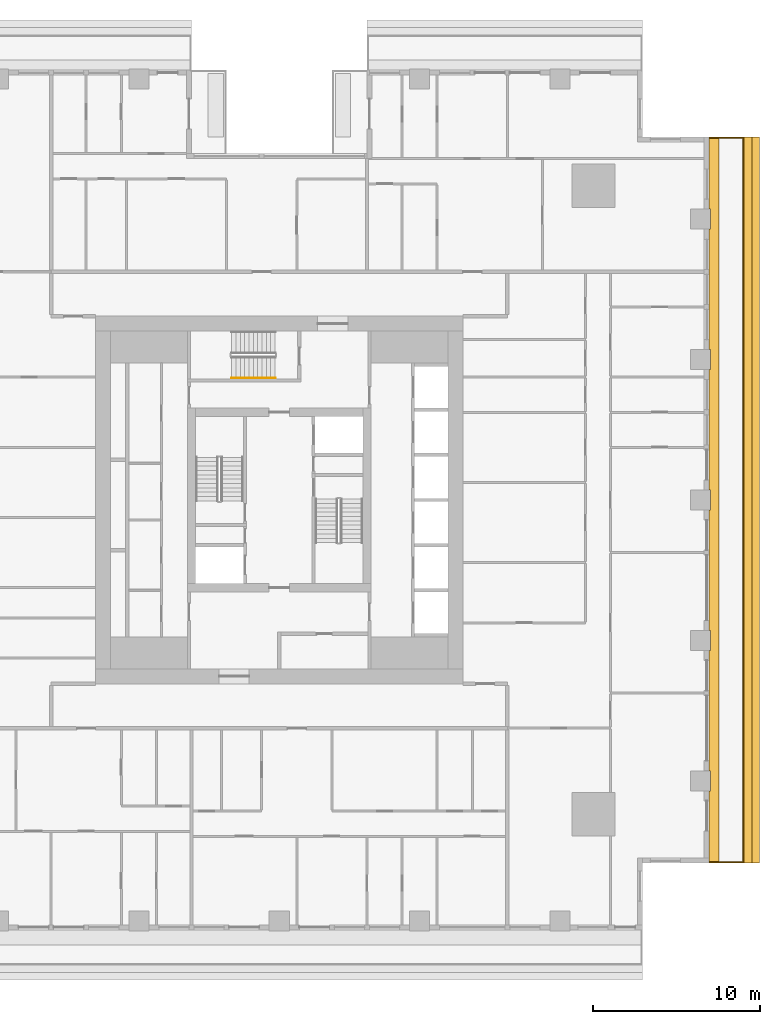
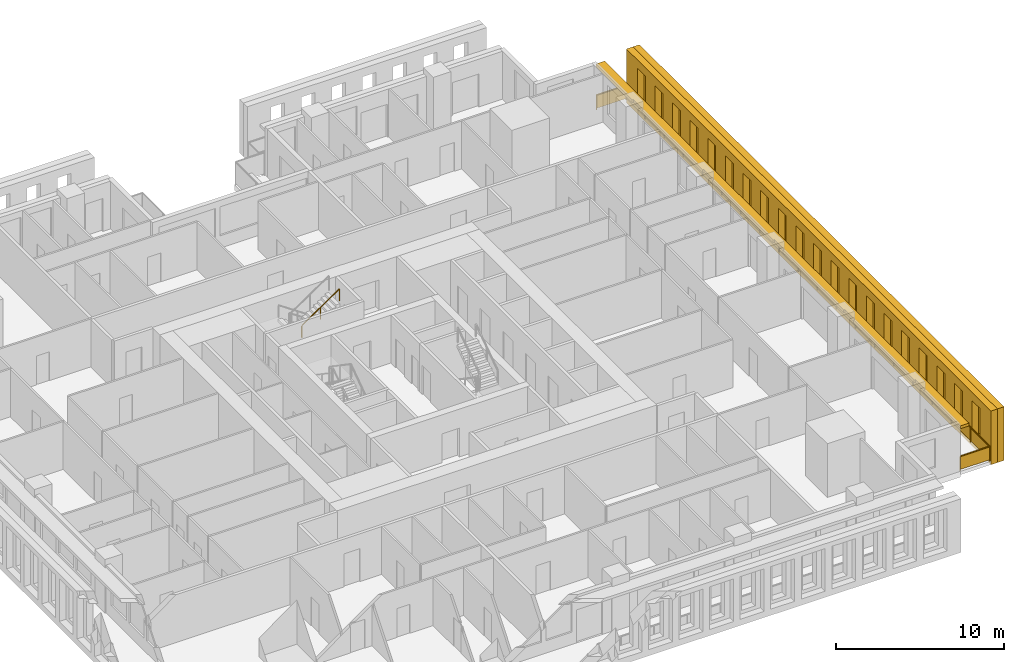
# One storey, part 14 of 16: 3 shading devices, 2 railings.
"""IFC4 building model written with IfcOpenShell, lengths in metres."""

from ifc_helpers import new_model, si_unit, direction, frame, origin, origin_2d, place, context, subcontext, project, spatial, polyline, rectangle, outline, extrude, material, layer, layer_set, type_object, element, save


model = new_model("IFC4")

# Units and contexts
model_context = context("Model", 3, precision=1e-05, world=origin(), true_north=direction((0.0, 1.0)))
body_context = subcontext(model_context, "Body", "Model", "MODEL_VIEW")
ifc_project = project(units=[si_unit("LENGTHUNIT", "METRE"), si_unit("AREAUNIT", "SQUARE_METRE"), si_unit("VOLUMEUNIT", "CUBIC_METRE"), si_unit("PLANEANGLEUNIT", "RADIAN"), si_unit("MASSUNIT", "GRAM", prefix="KILO")], contexts=[model_context])

# Site, building, storey
site_placement = place(None, origin())
site = spatial("IfcSite", under=ifc_project, at=site_placement, CompositionType="ELEMENT")
building_placement = place(site_placement, origin())
building = spatial("IfcBuilding", under=site, at=building_placement, Name="Khepri Terraces", CompositionType="ELEMENT")
storey_placement = place(building_placement, frame((0.0, 0.0, 141.60009765625)))
storey = spatial("IfcBuildingStorey", under=building, at=storey_placement, Name="L33", CompositionType="ELEMENT", Elevation=141.60009765625)

# Railings
ifc_material_1 = material(Name="Stainless steel grade 316", Category="steel")
railing_type_1 = type_object("IfcRailingType", Name="GRD-BAL-1100", PredefinedType="GUARDRAIL", material=ifc_material_1)
railing_1_placement = place(storey_placement, frame((25.719970703125, -21.669921875, 0.0)))
element("IfcRailing", 1, at=railing_1_placement, inside=storey, type_object=railing_type_1, Name="Balcony guard L33 E", PredefinedType="GUARDRAIL", context=body_context, shape_type="SweptSolid", body=[
    extrude(rectangle(XDim=0.050048828125, YDim=0.06005859375, at=origin_2d()), frame((0.0, 0.0, 1.070068359375), z_axis=(1.0, 0.0, 0.0), x_axis=(0.0, 1.0, 0.0)), (0.0, 0.0, 1.0), 2.050048828125),
    extrude(rectangle(XDim=2.0, YDim=0.011962890625, at=origin_2d()), frame((1.02490234375, 0.0, 0.10009765625), z_axis=(0.0, 0.0, 1.0), x_axis=(1.0, 0.0, 0.0)), (0.0, 0.0, 1.0), 0.93994140625),
    extrude(rectangle(XDim=0.050048828125, YDim=0.06005859375, at=origin_2d()), frame((2.050048828125, 0.0, 1.070068359375), z_axis=(0.0, 1.0, 0.0), x_axis=(-1.0, 0.0, 0.0)), (0.0, 0.0, 1.0), 43.33984375),
    extrude(rectangle(XDim=2.23095703125, YDim=0.011962890625, at=origin_2d()), frame((2.050048828125, 1.140625, 0.10009765625), z_axis=(0.0, 0.0, 1.0), x_axis=(0.0, 1.0, 0.0)), (0.0, 0.0, 1.0), 0.93994140625),
    extrude(rectangle(XDim=2.23095703125, YDim=0.011962890625, at=origin_2d()), frame((2.050048828125, 3.421630859375, 0.10009765625), z_axis=(0.0, 0.0, 1.0), x_axis=(0.0, 1.0, 0.0)), (0.0, 0.0, 1.0), 0.93994140625),
    extrude(rectangle(XDim=2.23095703125, YDim=0.011962890625, at=origin_2d()), frame((2.050048828125, 5.70263671875, 0.10009765625), z_axis=(0.0, 0.0, 1.0), x_axis=(0.0, 1.0, 0.0)), (0.0, 0.0, 1.0), 0.93994140625),
    extrude(rectangle(XDim=2.23095703125, YDim=0.011962890625, at=origin_2d()), frame((2.050048828125, 7.983642578125, 0.10009765625), z_axis=(0.0, 0.0, 1.0), x_axis=(0.0, 1.0, 0.0)), (0.0, 0.0, 1.0), 0.93994140625),
    extrude(rectangle(XDim=2.23095703125, YDim=0.011962890625, at=origin_2d()), frame((2.050048828125, 10.2646484375, 0.10009765625), z_axis=(0.0, 0.0, 1.0), x_axis=(0.0, 1.0, 0.0)), (0.0, 0.0, 1.0), 0.93994140625),
    extrude(rectangle(XDim=2.23095703125, YDim=0.011962890625, at=origin_2d()), frame((2.050048828125, 12.545654296875, 0.10009765625), z_axis=(0.0, 0.0, 1.0), x_axis=(0.0, 1.0, 0.0)), (0.0, 0.0, 1.0), 0.93994140625),
    extrude(rectangle(XDim=2.23095703125, YDim=0.011962890625, at=origin_2d()), frame((2.050048828125, 14.826904296875, 0.10009765625), z_axis=(0.0, 0.0, 1.0), x_axis=(0.0, 1.0, 0.0)), (0.0, 0.0, 1.0), 0.93994140625),
    extrude(rectangle(XDim=2.23095703125, YDim=0.011962890625, at=origin_2d()), frame((2.050048828125, 17.10791015625, 0.10009765625), z_axis=(0.0, 0.0, 1.0), x_axis=(0.0, 1.0, 0.0)), (0.0, 0.0, 1.0), 0.93994140625),
    extrude(rectangle(XDim=2.23095703125, YDim=0.011962890625, at=origin_2d()), frame((2.050048828125, 19.388916015625, 0.10009765625), z_axis=(0.0, 0.0, 1.0), x_axis=(0.0, 1.0, 0.0)), (0.0, 0.0, 1.0), 0.93994140625),
    extrude(rectangle(XDim=2.23095703125, YDim=0.011962890625, at=origin_2d()), frame((2.050048828125, 21.669921875, 0.10009765625), z_axis=(0.0, 0.0, 1.0), x_axis=(0.0, 1.0, 0.0)), (0.0, 0.0, 1.0), 0.93994140625),
    extrude(rectangle(XDim=2.23095703125, YDim=0.011962890625, at=origin_2d()), frame((2.050048828125, 23.950927734375, 0.10009765625), z_axis=(0.0, 0.0, 1.0), x_axis=(0.0, 1.0, 0.0)), (0.0, 0.0, 1.0), 0.93994140625),
    extrude(rectangle(XDim=2.23095703125, YDim=0.011962890625, at=origin_2d()), frame((2.050048828125, 26.23193359375, 0.10009765625), z_axis=(0.0, 0.0, 1.0), x_axis=(0.0, 1.0, 0.0)), (0.0, 0.0, 1.0), 0.93994140625),
    extrude(rectangle(XDim=2.23095703125, YDim=0.011962890625, at=origin_2d()), frame((2.050048828125, 28.512939453125, 0.10009765625), z_axis=(0.0, 0.0, 1.0), x_axis=(0.0, 1.0, 0.0)), (0.0, 0.0, 1.0), 0.93994140625),
    extrude(rectangle(XDim=2.23095703125, YDim=0.011962890625, at=origin_2d()), frame((2.050048828125, 30.794189453125, 0.10009765625), z_axis=(0.0, 0.0, 1.0), x_axis=(0.0, 1.0, 0.0)), (0.0, 0.0, 1.0), 0.93994140625),
    extrude(rectangle(XDim=2.23095703125, YDim=0.011962890625, at=origin_2d()), frame((2.050048828125, 33.0751953125, 0.10009765625), z_axis=(0.0, 0.0, 1.0), x_axis=(0.0, 1.0, 0.0)), (0.0, 0.0, 1.0), 0.93994140625),
    extrude(rectangle(XDim=2.23095703125, YDim=0.011962890625, at=origin_2d()), frame((2.050048828125, 35.356201171875, 0.10009765625), z_axis=(0.0, 0.0, 1.0), x_axis=(0.0, 1.0, 0.0)), (0.0, 0.0, 1.0), 0.93994140625),
    extrude(rectangle(XDim=2.23095703125, YDim=0.011962890625, at=origin_2d()), frame((2.050048828125, 37.63720703125, 0.10009765625), z_axis=(0.0, 0.0, 1.0), x_axis=(0.0, 1.0, 0.0)), (0.0, 0.0, 1.0), 0.93994140625),
    extrude(rectangle(XDim=2.23095703125, YDim=0.011962890625, at=origin_2d()), frame((2.050048828125, 39.918212890625, 0.10009765625), z_axis=(0.0, 0.0, 1.0), x_axis=(0.0, 1.0, 0.0)), (0.0, 0.0, 1.0), 0.93994140625),
    extrude(rectangle(XDim=2.23095703125, YDim=0.011962890625, at=origin_2d()), frame((2.050048828125, 42.19921875, 0.10009765625), z_axis=(0.0, 0.0, 1.0), x_axis=(0.0, 1.0, 0.0)), (0.0, 0.0, 1.0), 0.93994140625),
    extrude(rectangle(XDim=0.050048828125, YDim=0.06005859375, at=origin_2d()), frame((2.050048828125, 43.33984375, 1.070068359375), z_axis=(-1.0, 0.0, 0.0), x_axis=(0.0, -1.0, 0.0)), (0.0, 0.0, 1.0), 2.050048828125),
    extrude(rectangle(XDim=2.0, YDim=0.011962890625, at=origin_2d()), frame((1.02490234375, 43.33984375, 0.10009765625), z_axis=(0.0, 0.0, 1.0), x_axis=(-1.0, 0.0, 0.0)), (0.0, 0.0, 1.0), 0.93994140625),
    extrude(rectangle(XDim=0.050048828125, YDim=0.050048828125, at=origin_2d()), origin(), (0.0, 0.0, 1.0), 1.0400390625),
    extrude(rectangle(XDim=0.050048828125, YDim=0.050048828125, at=origin_2d()), frame((2.050048828125, 0.0, 0.0)), (0.0, 0.0, 1.0), 1.0400390625),
    extrude(rectangle(XDim=0.050048828125, YDim=0.050048828125, at=origin_2d()), frame((2.050048828125, 2.281005859375, 0.0)), (0.0, 0.0, 1.0), 1.0400390625),
    extrude(rectangle(XDim=0.050048828125, YDim=0.050048828125, at=origin_2d()), frame((2.050048828125, 4.56201171875, 0.0)), (0.0, 0.0, 1.0), 1.0400390625),
    extrude(rectangle(XDim=0.050048828125, YDim=0.050048828125, at=origin_2d()), frame((2.050048828125, 6.843017578125, 0.0)), (0.0, 0.0, 1.0), 1.0400390625),
    extrude(rectangle(XDim=0.050048828125, YDim=0.050048828125, at=origin_2d()), frame((2.050048828125, 9.124267578125, 0.0)), (0.0, 0.0, 1.0), 1.0400390625),
    extrude(rectangle(XDim=0.050048828125, YDim=0.050048828125, at=origin_2d()), frame((2.050048828125, 11.4052734375, 0.0)), (0.0, 0.0, 1.0), 1.0400390625),
    extrude(rectangle(XDim=0.050048828125, YDim=0.050048828125, at=origin_2d()), frame((2.050048828125, 13.686279296875, 0.0)), (0.0, 0.0, 1.0), 1.0400390625),
    extrude(rectangle(XDim=0.050048828125, YDim=0.050048828125, at=origin_2d()), frame((2.050048828125, 15.96728515625, 0.0)), (0.0, 0.0, 1.0), 1.0400390625),
    extrude(rectangle(XDim=0.050048828125, YDim=0.050048828125, at=origin_2d()), frame((2.050048828125, 18.248291015625, 0.0)), (0.0, 0.0, 1.0), 1.0400390625),
    extrude(rectangle(XDim=0.050048828125, YDim=0.050048828125, at=origin_2d()), frame((2.050048828125, 20.529296875, 0.0)), (0.0, 0.0, 1.0), 1.0400390625),
    extrude(rectangle(XDim=0.050048828125, YDim=0.050048828125, at=origin_2d()), frame((2.050048828125, 22.810546875, 0.0)), (0.0, 0.0, 1.0), 1.0400390625),
    extrude(rectangle(XDim=0.050048828125, YDim=0.050048828125, at=origin_2d()), frame((2.050048828125, 25.091552734375, 0.0)), (0.0, 0.0, 1.0), 1.0400390625),
    extrude(rectangle(XDim=0.050048828125, YDim=0.050048828125, at=origin_2d()), frame((2.050048828125, 27.37255859375, 0.0)), (0.0, 0.0, 1.0), 1.0400390625),
    extrude(rectangle(XDim=0.050048828125, YDim=0.050048828125, at=origin_2d()), frame((2.050048828125, 29.653564453125, 0.0)), (0.0, 0.0, 1.0), 1.0400390625),
    extrude(rectangle(XDim=0.050048828125, YDim=0.050048828125, at=origin_2d()), frame((2.050048828125, 31.9345703125, 0.0)), (0.0, 0.0, 1.0), 1.0400390625),
    extrude(rectangle(XDim=0.050048828125, YDim=0.050048828125, at=origin_2d()), frame((2.050048828125, 34.215576171875, 0.0)), (0.0, 0.0, 1.0), 1.0400390625),
    extrude(rectangle(XDim=0.050048828125, YDim=0.050048828125, at=origin_2d()), frame((2.050048828125, 36.496826171875, 0.0)), (0.0, 0.0, 1.0), 1.0400390625),
    extrude(rectangle(XDim=0.050048828125, YDim=0.050048828125, at=origin_2d()), frame((2.050048828125, 38.77783203125, 0.0)), (0.0, 0.0, 1.0), 1.0400390625),
    extrude(rectangle(XDim=0.050048828125, YDim=0.050048828125, at=origin_2d()), frame((2.050048828125, 41.058837890625, 0.0)), (0.0, 0.0, 1.0), 1.0400390625),
    extrude(rectangle(XDim=0.050048828125, YDim=0.050048828125, at=origin_2d()), frame((2.050048828125, 43.33984375, 0.0)), (0.0, 0.0, 1.0), 1.0400390625),
    extrude(rectangle(XDim=0.050048828125, YDim=0.050048828125, at=origin_2d()), frame((0.0, 43.33984375, 0.0)), (0.0, 0.0, 1.0), 1.0400390625),
])
ifc_material_2 = material(Name="Stainless steel 316", Category="steel")
railing_type_2 = type_object("IfcRailingType", Name="RL-CORE-HANDRAIL", PredefinedType="HANDRAIL", material=ifc_material_2)
railing_2_placement = place(storey_placement, frame((-2.85009765625, 7.300048828125, 2.127197265625)))
element("IfcRailing", 2, at=railing_2_placement, inside=storey, type_object=railing_type_2, Name="L33 ST-3 stair handrail 2", PredefinedType="HANDRAIL", context=body_context, shape_type="SweptSolid", body=[
    extrude(rectangle(XDim=0.050048828125, YDim=0.050048828125, at=origin_2d()), frame((0.0, 0.0, 0.875), z_axis=(0.826240473404, 0.0, 0.563317565952), x_axis=(0.0, 1.0, 0.0)), (0.0, 0.0, 1.0), 3.14697265625),
    extrude(rectangle(XDim=0.050048828125, YDim=0.050048828125, at=origin_2d()), origin(), (0.0, 0.0, 1.0), 0.849853515625),
    extrude(rectangle(XDim=0.050048828125, YDim=0.050048828125, at=origin_2d()), frame((1.300048828125, 0.0, 0.88623046875)), (0.0, 0.0, 1.0), 0.849853515625),
    extrude(rectangle(XDim=0.050048828125, YDim=0.050048828125, at=origin_2d()), frame((2.60009765625, 0.0, 1.772705078125)), (0.0, 0.0, 1.0), 0.849853515625),
])

# Shading devices
ifc_material_3 = material(Name="Precast concrete C50/60 warm stone", Category="masonry")
shading_device_type_1 = type_object("IfcShadingDeviceType", Name="SCR-CELL-INNER-450", PredefinedType="USERDEFINED", material=ifc_material_3)
shading_device_1_placement = place(storey_placement, frame((27.820068359375, -21.719970703125, -0.25), z_axis=(1.0, 0.0, 0.0), x_axis=(0.0, 1.0, 0.0)))
element("IfcShadingDevice", 3, at=shading_device_1_placement, inside=storey, type_object=shading_device_type_1, Name="Cell screen L33 E in", ObjectType="SCREEN", PredefinedType="USERDEFINED", context=body_context, shape_type="SweptSolid", body=[
    extrude(outline(polyline([(0.0, 0.0), (43.43994140625, 0.0), (43.43994140625, 3.89990234375), (0.0, 3.89990234375), (0.0, 0.0)]), holes=[polyline([(1.297607421875, 0.699951171875), (2.242431640625, 0.699951171875), (2.242431640625, 3.300048828125), (1.297607421875, 3.300048828125), (1.297607421875, 0.699951171875)]), polyline([(3.3974609375, 0.699951171875), (4.342529296875, 0.699951171875), (4.342529296875, 3.300048828125), (3.3974609375, 3.300048828125), (3.3974609375, 0.699951171875)]), polyline([(5.49755859375, 0.699951171875), (6.4423828125, 0.699951171875), (6.4423828125, 3.300048828125), (5.49755859375, 3.300048828125), (5.49755859375, 0.699951171875)]), polyline([(7.597412109375, 0.699951171875), (8.54248046875, 0.699951171875), (8.54248046875, 3.300048828125), (7.597412109375, 3.300048828125), (7.597412109375, 0.699951171875)]), polyline([(9.697509765625, 0.699951171875), (10.642578125, 0.699951171875), (10.642578125, 3.300048828125), (9.697509765625, 3.300048828125), (9.697509765625, 0.699951171875)]), polyline([(11.797607421875, 0.699951171875), (12.742431640625, 0.699951171875), (12.742431640625, 3.300048828125), (11.797607421875, 3.300048828125), (11.797607421875, 0.699951171875)]), polyline([(13.8974609375, 0.699951171875), (14.842529296875, 0.699951171875), (14.842529296875, 3.300048828125), (13.8974609375, 3.300048828125), (13.8974609375, 0.699951171875)]), polyline([(15.99755859375, 0.699951171875), (16.9423828125, 0.699951171875), (16.9423828125, 3.300048828125), (15.99755859375, 3.300048828125), (15.99755859375, 0.699951171875)]), polyline([(18.097412109375, 0.699951171875), (19.04248046875, 0.699951171875), (19.04248046875, 3.300048828125), (18.097412109375, 3.300048828125), (18.097412109375, 0.699951171875)]), polyline([(20.197509765625, 0.699951171875), (21.142578125, 0.699951171875), (21.142578125, 3.300048828125), (20.197509765625, 3.300048828125), (20.197509765625, 0.699951171875)]), polyline([(22.297607421875, 0.699951171875), (23.242431640625, 0.699951171875), (23.242431640625, 3.300048828125), (22.297607421875, 3.300048828125), (22.297607421875, 0.699951171875)]), polyline([(24.3974609375, 0.699951171875), (25.342529296875, 0.699951171875), (25.342529296875, 3.300048828125), (24.3974609375, 3.300048828125), (24.3974609375, 0.699951171875)]), polyline([(26.49755859375, 0.699951171875), (27.4423828125, 0.699951171875), (27.4423828125, 3.300048828125), (26.49755859375, 3.300048828125), (26.49755859375, 0.699951171875)]), polyline([(28.597412109375, 0.699951171875), (29.54248046875, 0.699951171875), (29.54248046875, 3.300048828125), (28.597412109375, 3.300048828125), (28.597412109375, 0.699951171875)]), polyline([(30.697509765625, 0.699951171875), (31.642578125, 0.699951171875), (31.642578125, 3.300048828125), (30.697509765625, 3.300048828125), (30.697509765625, 0.699951171875)]), polyline([(32.797607421875, 0.699951171875), (33.742431640625, 0.699951171875), (33.742431640625, 3.300048828125), (32.797607421875, 3.300048828125), (32.797607421875, 0.699951171875)]), polyline([(34.8974609375, 0.699951171875), (35.842529296875, 0.699951171875), (35.842529296875, 3.300048828125), (34.8974609375, 3.300048828125), (34.8974609375, 0.699951171875)]), polyline([(36.99755859375, 0.699951171875), (37.9423828125, 0.699951171875), (37.9423828125, 3.300048828125), (36.99755859375, 3.300048828125), (36.99755859375, 0.699951171875)]), polyline([(39.097412109375, 0.699951171875), (40.04248046875, 0.699951171875), (40.04248046875, 3.300048828125), (39.097412109375, 3.300048828125), (39.097412109375, 0.699951171875)]), polyline([(41.197509765625, 0.699951171875), (42.142578125, 0.699951171875), (42.142578125, 3.300048828125), (41.197509765625, 3.300048828125), (41.197509765625, 0.699951171875)])]), origin(), (0.0, 0.0, 1.0), 0.449951171875),
])
shading_device_type_2 = type_object("IfcShadingDeviceType", Name="SCR-CELL-OUTER-450", PredefinedType="USERDEFINED", material=ifc_material_3)
shading_device_2_placement = place(storey_placement, frame((28.27001953125, -21.719970703125, -0.25), z_axis=(1.0, 0.0, 0.0), x_axis=(0.0, 1.0, 0.0)))
element("IfcShadingDevice", 4, at=shading_device_2_placement, inside=storey, type_object=shading_device_type_2, Name="Cell screen L33 E out", ObjectType="SCREEN", PredefinedType="USERDEFINED", context=body_context, shape_type="SweptSolid", body=[
    extrude(outline(polyline([(0.0, 0.0), (43.43994140625, 0.0), (43.43994140625, 3.89990234375), (0.0, 3.89990234375), (0.0, 0.0)]), holes=[polyline([(0.947509765625, 0.449951171875), (2.592529296875, 0.449951171875), (2.592529296875, 3.550048828125), (0.947509765625, 3.550048828125), (0.947509765625, 0.449951171875)]), polyline([(3.047607421875, 0.449951171875), (4.6923828125, 0.449951171875), (4.6923828125, 3.550048828125), (3.047607421875, 3.550048828125), (3.047607421875, 0.449951171875)]), polyline([(5.1474609375, 0.449951171875), (6.79248046875, 0.449951171875), (6.79248046875, 3.550048828125), (5.1474609375, 3.550048828125), (5.1474609375, 0.449951171875)]), polyline([(7.24755859375, 0.449951171875), (8.892578125, 0.449951171875), (8.892578125, 3.550048828125), (7.24755859375, 3.550048828125), (7.24755859375, 0.449951171875)]), polyline([(9.347412109375, 0.449951171875), (10.992431640625, 0.449951171875), (10.992431640625, 3.550048828125), (9.347412109375, 3.550048828125), (9.347412109375, 0.449951171875)]), polyline([(11.447509765625, 0.449951171875), (13.092529296875, 0.449951171875), (13.092529296875, 3.550048828125), (11.447509765625, 3.550048828125), (11.447509765625, 0.449951171875)]), polyline([(13.547607421875, 0.449951171875), (15.1923828125, 0.449951171875), (15.1923828125, 3.550048828125), (13.547607421875, 3.550048828125), (13.547607421875, 0.449951171875)]), polyline([(15.6474609375, 0.449951171875), (17.29248046875, 0.449951171875), (17.29248046875, 3.550048828125), (15.6474609375, 3.550048828125), (15.6474609375, 0.449951171875)]), polyline([(17.74755859375, 0.449951171875), (19.392578125, 0.449951171875), (19.392578125, 3.550048828125), (17.74755859375, 3.550048828125), (17.74755859375, 0.449951171875)]), polyline([(19.847412109375, 0.449951171875), (21.492431640625, 0.449951171875), (21.492431640625, 3.550048828125), (19.847412109375, 3.550048828125), (19.847412109375, 0.449951171875)]), polyline([(21.947509765625, 0.449951171875), (23.592529296875, 0.449951171875), (23.592529296875, 3.550048828125), (21.947509765625, 3.550048828125), (21.947509765625, 0.449951171875)]), polyline([(24.047607421875, 0.449951171875), (25.6923828125, 0.449951171875), (25.6923828125, 3.550048828125), (24.047607421875, 3.550048828125), (24.047607421875, 0.449951171875)]), polyline([(26.1474609375, 0.449951171875), (27.79248046875, 0.449951171875), (27.79248046875, 3.550048828125), (26.1474609375, 3.550048828125), (26.1474609375, 0.449951171875)]), polyline([(28.24755859375, 0.449951171875), (29.892578125, 0.449951171875), (29.892578125, 3.550048828125), (28.24755859375, 3.550048828125), (28.24755859375, 0.449951171875)]), polyline([(30.347412109375, 0.449951171875), (31.992431640625, 0.449951171875), (31.992431640625, 3.550048828125), (30.347412109375, 3.550048828125), (30.347412109375, 0.449951171875)]), polyline([(32.447509765625, 0.449951171875), (34.092529296875, 0.449951171875), (34.092529296875, 3.550048828125), (32.447509765625, 3.550048828125), (32.447509765625, 0.449951171875)]), polyline([(34.547607421875, 0.449951171875), (36.1923828125, 0.449951171875), (36.1923828125, 3.550048828125), (34.547607421875, 3.550048828125), (34.547607421875, 0.449951171875)]), polyline([(36.6474609375, 0.449951171875), (38.29248046875, 0.449951171875), (38.29248046875, 3.550048828125), (36.6474609375, 3.550048828125), (36.6474609375, 0.449951171875)]), polyline([(38.74755859375, 0.449951171875), (40.392578125, 0.449951171875), (40.392578125, 3.550048828125), (38.74755859375, 3.550048828125), (38.74755859375, 0.449951171875)]), polyline([(40.847412109375, 0.449951171875), (42.492431640625, 0.449951171875), (42.492431640625, 3.550048828125), (40.847412109375, 3.550048828125), (40.847412109375, 0.449951171875)])]), origin(), (0.0, 0.0, 1.0), 0.449951171875),
])
ifc_layer = layer(ifc_material_3, 0.199951171875, Name="Precast concrete C50/60 warm stone", Category="masonry")
ifc_layer_set = layer_set([ifc_layer], Name="Precast concrete C50/60 warm stone")
shading_device_type_3 = type_object("IfcShadingDeviceType", Name="SSH-BAND-STONE-200-N", PredefinedType="USERDEFINED", material=ifc_layer_set)
shading_device_3_placement = place(storey_placement, frame((0.0, 0.0, 3.099853515625)))
element("IfcShadingDevice", 5, at=shading_device_3_placement, inside=storey, type_object=shading_device_type_3, Name="Sunshade band L33 E", ObjectType="SUNSHADE", PredefinedType="USERDEFINED", context=body_context, shape_type="SweptSolid", body=[
    extrude(outline(polyline([(25.719970703125, -17.39990234375), (25.719970703125, -21.719970703125), (26.320068359375, -21.719970703125), (26.320068359375, 21.719970703125), (25.719970703125, 21.719970703125), (25.719970703125, 17.39990234375), (25.800048828125, 17.39990234375), (25.800048828125, 16.199951171875), (25.719970703125, 16.199951171875), (25.719970703125, 9.0), (25.800048828125, 9.0), (25.800048828125, 7.800048828125), (25.719970703125, 7.800048828125), (25.719970703125, 0.60009765625), (25.800048828125, 0.60009765625), (25.800048828125, -0.60009765625), (25.719970703125, -0.60009765625), (25.719970703125, -7.800048828125), (25.800048828125, -7.800048828125), (25.800048828125, -9.0), (25.719970703125, -9.0), (25.719970703125, -16.199951171875), (25.800048828125, -16.199951171875), (25.800048828125, -17.39990234375), (25.719970703125, -17.39990234375)])), origin(), (0.0, 0.0, 1.0), 0.199951171875),
])

save(model, "model.ifc")
